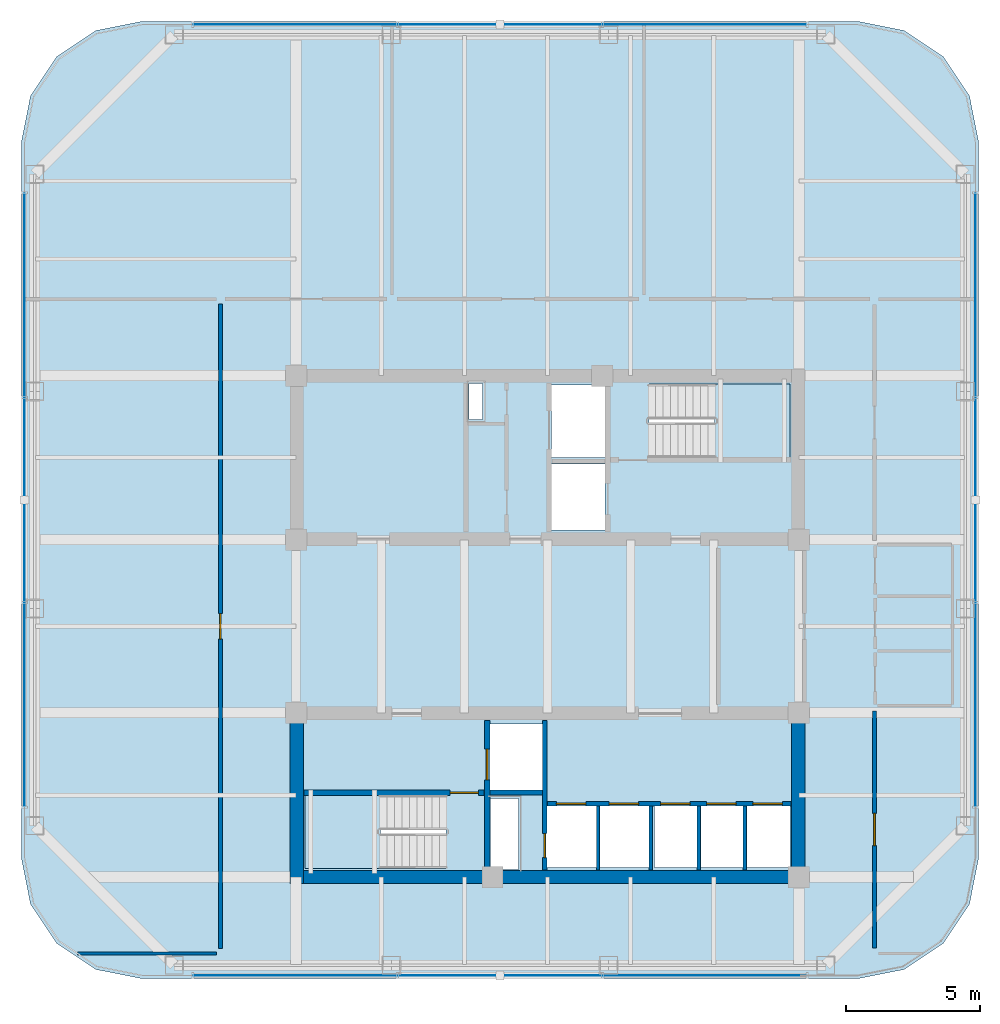
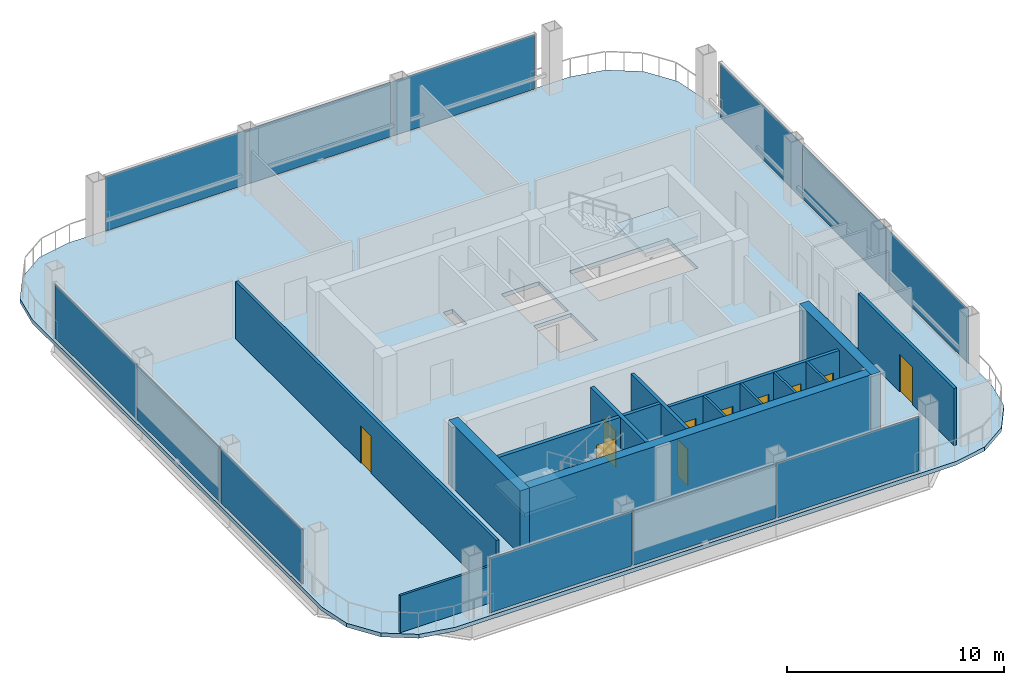
# One storey, part 14 of 19: 15 walls, 12 plates, 10 doors, 3 slabs, 10 openings, 6 elements without a shape of their own.
"""IFC4 building model written with IfcOpenShell, lengths in metres."""

from ifc_helpers import new_model, si_unit, direction, frame, frame_2d, origin, origin_2d, place, context, subcontext, project, spatial, polyline, rectangle, outline, extrude, material, layer, layer_set, type_object, element, fill, aggregate, save


model = new_model("IFC4")

# Units and contexts
model_context = context("Model", 3, precision=1e-05, world=origin(), true_north=direction((0.0, 1.0)))
body_context = subcontext(model_context, "Body", "Model", "MODEL_VIEW")
ifc_project = project(units=[si_unit("LENGTHUNIT", "METRE"), si_unit("AREAUNIT", "SQUARE_METRE"), si_unit("VOLUMEUNIT", "CUBIC_METRE"), si_unit("PLANEANGLEUNIT", "RADIAN"), si_unit("MASSUNIT", "GRAM", prefix="KILO")], contexts=[model_context])

# Site, building, storey
site_placement = place(None, origin())
site = spatial("IfcSite", under=ifc_project, at=site_placement, CompositionType="ELEMENT")
building_placement = place(site_placement, origin())
building = spatial("IfcBuilding", under=site, at=building_placement, Name="Qhalaya Broadcast Tower", CompositionType="ELEMENT")
storey_placement = place(building_placement, frame((0.0, 0.0, 148.199951171875)))
storey = spatial("IfcBuildingStorey", under=building, at=storey_placement, Name="L43", CompositionType="ELEMENT", Elevation=148.199951171875)

# Curtain wall, plates
ifc_material_1 = material(Name="Solar-Control Low-E Triple Glazing", Category="glass")
ifc_layer_1 = layer(ifc_material_1, 0.219970703125, Name="Solar-Control Low-E Triple Glazing")
ifc_layer_set_1 = layer_set([ifc_layer_1], Name="Solar-Control Low-E Triple Glazing")
curtain_wall_type = type_object("IfcCurtainWallType", Name="Recessed Sky-Garden Neck Ribbon Curtain Wall CW-05", PredefinedType="NOTDEFINED", material=ifc_layer_set_1)
curtain_wall_1_placement = place(storey_placement, origin())
curtain_wall_1 = element("IfcCurtainWall", 1, at=curtain_wall_1_placement, inside=storey, type_object=curtain_wall_type, Name="L43 Unitised Curtain Wall L43-CW-S", PredefinedType="NOTDEFINED")
ifc_layer_2 = layer(ifc_material_1, 0.031982421875, Name="Solar-Control Low-E Triple Glazing")
ifc_layer_set_2 = layer_set([ifc_layer_2], Name="Solar-Control Low-E Triple Glazing")
plate_type = type_object("IfcPlateType", Name="Solar-Control Curtain Glazing Panel GLP-05", PredefinedType="CURTAIN_PANEL", material=ifc_layer_set_2)
plate_1_placement = place(storey_placement, frame((-9.41796875, -12.419921875, 0.0751953125), z_axis=(0.0, 0.0, 1.0), x_axis=(1.0, 0.0, 0.0)))
plate_1 = element("IfcPlate", 2, at=plate_1_placement, type_object=plate_type, Name="CW-05 panel 1.1", PredefinedType="CURTAIN_PANEL", context=body_context, shape_type="SweptSolid", body=[
    extrude(rectangle(XDim=7.55419921875, YDim=0.031982421875, at=origin_2d()), origin(), (0.0, 0.0, 1.0), 3.070068359375),
])
plate_2_placement = place(storey_placement, frame((-1.77001953125, -12.419921875, 0.0751953125), z_axis=(0.0, 0.0, 1.0), x_axis=(1.0, 0.0, 0.0)))
plate_2 = element("IfcPlate", 3, at=plate_2_placement, type_object=plate_type, Name="CW-05 panel 2.1", PredefinedType="CURTAIN_PANEL", context=body_context, shape_type="SweptSolid", body=[
    extrude(rectangle(XDim=7.591552734375, YDim=0.031982421875, at=origin_2d()), origin(), (0.0, 0.0, 1.0), 3.070068359375),
])
plate_3_placement = place(storey_placement, frame((5.8779296875, -12.419921875, 0.0751953125), z_axis=(0.0, 0.0, 1.0), x_axis=(1.0, 0.0, 0.0)))
plate_3 = element("IfcPlate", 4, at=plate_3_placement, type_object=plate_type, Name="CW-05 panel 3.1", PredefinedType="CURTAIN_PANEL", context=body_context, shape_type="SweptSolid", body=[
    extrude(rectangle(XDim=7.55419921875, YDim=0.031982421875, at=origin_2d()), origin(), (0.0, 0.0, 1.0), 3.070068359375),
])
aggregate(curtain_wall_1, [plate_1, plate_2, plate_3])

curtain_wall_2_placement = place(storey_placement, origin())
curtain_wall_2 = element("IfcCurtainWall", 5, at=curtain_wall_2_placement, inside=storey, type_object=curtain_wall_type, Name="L43 Unitised Curtain Wall L43-CW-E", PredefinedType="NOTDEFINED")
plate_4_placement = place(storey_placement, frame((15.9599609375, -2.337890625, 0.0751953125), z_axis=(0.0, 0.0, 1.0), x_axis=(0.0, 1.0, 0.0)))
plate_4 = element("IfcPlate", 6, at=plate_4_placement, type_object=plate_type, Name="CW-05 panel 1.1", PredefinedType="CURTAIN_PANEL", context=body_context, shape_type="SweptSolid", body=[
    extrude(rectangle(XDim=7.55419921875, YDim=0.031982421875, at=origin_2d()), origin(), (0.0, 0.0, 1.0), 3.070068359375),
])
plate_5_placement = place(storey_placement, frame((15.9599609375, 5.31005859375, 0.0751953125), z_axis=(0.0, 0.0, 1.0), x_axis=(0.0, 1.0, 0.0)))
plate_5 = element("IfcPlate", 7, at=plate_5_placement, type_object=plate_type, Name="CW-05 panel 2.1", PredefinedType="CURTAIN_PANEL", context=body_context, shape_type="SweptSolid", body=[
    extrude(rectangle(XDim=7.591552734375, YDim=0.031982421875, at=origin_2d()), origin(), (0.0, 0.0, 1.0), 3.070068359375),
])
plate_6_placement = place(storey_placement, frame((15.9599609375, 12.9580078125, 0.0751953125), z_axis=(0.0, 0.0, 1.0), x_axis=(0.0, 1.0, 0.0)))
plate_6 = element("IfcPlate", 8, at=plate_6_placement, type_object=plate_type, Name="CW-05 panel 3.1", PredefinedType="CURTAIN_PANEL", context=body_context, shape_type="SweptSolid", body=[
    extrude(rectangle(XDim=7.55419921875, YDim=0.031982421875, at=origin_2d()), origin(), (0.0, 0.0, 1.0), 3.070068359375),
])
aggregate(curtain_wall_2, [plate_4, plate_5, plate_6])

curtain_wall_3_placement = place(storey_placement, origin())
curtain_wall_3 = element("IfcCurtainWall", 9, at=curtain_wall_3_placement, inside=storey, type_object=curtain_wall_type, Name="L43 Unitised Curtain Wall L43-CW-N", PredefinedType="NOTDEFINED")
plate_7_placement = place(storey_placement, frame((5.8779296875, 23.0400390625, 0.0751953125), z_axis=(0.0, 0.0, 1.0), x_axis=(-1.0, 0.0, 0.0)))
plate_7 = element("IfcPlate", 10, at=plate_7_placement, type_object=plate_type, Name="CW-05 panel 1.1", PredefinedType="CURTAIN_PANEL", context=body_context, shape_type="SweptSolid", body=[
    extrude(rectangle(XDim=7.55419921875, YDim=0.031982421875, at=origin_2d()), origin(), (0.0, 0.0, 1.0), 3.070068359375),
])
plate_8_placement = place(storey_placement, frame((-1.77001953125, 23.0400390625, 0.0751953125), z_axis=(0.0, 0.0, 1.0), x_axis=(-1.0, 0.0, 0.0)))
plate_8 = element("IfcPlate", 11, at=plate_8_placement, type_object=plate_type, Name="CW-05 panel 2.1", PredefinedType="CURTAIN_PANEL", context=body_context, shape_type="SweptSolid", body=[
    extrude(rectangle(XDim=7.591552734375, YDim=0.031982421875, at=origin_2d()), origin(), (0.0, 0.0, 1.0), 3.070068359375),
])
plate_9_placement = place(storey_placement, frame((-9.41796875, 23.0400390625, 0.0751953125), z_axis=(0.0, 0.0, 1.0), x_axis=(-1.0, 0.0, 0.0)))
plate_9 = element("IfcPlate", 12, at=plate_9_placement, type_object=plate_type, Name="CW-05 panel 3.1", PredefinedType="CURTAIN_PANEL", context=body_context, shape_type="SweptSolid", body=[
    extrude(rectangle(XDim=7.55419921875, YDim=0.031982421875, at=origin_2d()), origin(), (0.0, 0.0, 1.0), 3.070068359375),
])
aggregate(curtain_wall_3, [plate_7, plate_8, plate_9])

curtain_wall_4_placement = place(storey_placement, origin())
curtain_wall_4 = element("IfcCurtainWall", 13, at=curtain_wall_4_placement, inside=storey, type_object=curtain_wall_type, Name="L43 Unitised Curtain Wall L43-CW-W", PredefinedType="NOTDEFINED")
plate_10_placement = place(storey_placement, frame((-19.5, 12.9580078125, 0.0751953125), z_axis=(0.0, 0.0, 1.0), x_axis=(0.0, -1.0, 0.0)))
plate_10 = element("IfcPlate", 14, at=plate_10_placement, type_object=plate_type, Name="CW-05 panel 1.1", PredefinedType="CURTAIN_PANEL", context=body_context, shape_type="SweptSolid", body=[
    extrude(rectangle(XDim=7.55419921875, YDim=0.031982421875, at=origin_2d()), origin(), (0.0, 0.0, 1.0), 3.070068359375),
])
plate_11_placement = place(storey_placement, frame((-19.5, 5.31005859375, 0.0751953125), z_axis=(0.0, 0.0, 1.0), x_axis=(0.0, -1.0, 0.0)))
plate_11 = element("IfcPlate", 15, at=plate_11_placement, type_object=plate_type, Name="CW-05 panel 2.1", PredefinedType="CURTAIN_PANEL", context=body_context, shape_type="SweptSolid", body=[
    extrude(rectangle(XDim=7.591552734375, YDim=0.031982421875, at=origin_2d()), origin(), (0.0, 0.0, 1.0), 3.070068359375),
])
plate_12_placement = place(storey_placement, frame((-19.5, -2.337890625, 0.0751953125), z_axis=(0.0, 0.0, 1.0), x_axis=(0.0, -1.0, 0.0)))
plate_12 = element("IfcPlate", 16, at=plate_12_placement, type_object=plate_type, Name="CW-05 panel 3.1", PredefinedType="CURTAIN_PANEL", context=body_context, shape_type="SweptSolid", body=[
    extrude(rectangle(XDim=7.55419921875, YDim=0.031982421875, at=origin_2d()), origin(), (0.0, 0.0, 1.0), 3.070068359375),
])
aggregate(curtain_wall_4, [plate_10, plate_11, plate_12])

# Stair, slab
ifc_material_2 = material(Name="Concrete C40/50", Category="concrete")
stair_type = type_object("IfcStairType", Name="Protected Dogleg Core Stair 3600", PredefinedType="TWO_STRAIGHT_RUN_STAIR", material=ifc_material_2)
stair_1_placement = place(storey_placement, origin())
stair_1 = element("IfcStair", 17, at=stair_1_placement, inside=storey, type_object=stair_type, Name="L43 North Core Exit Stair ST-1", PredefinedType="TWO_STRAIGHT_RUN_STAIR")
ifc_layer_3 = layer(ifc_material_2, 0.199951171875, Name="Concrete C40/50")
ifc_layer_set_3 = layer_set([ifc_layer_3], Name="Concrete C40/50")
slab_type_1 = type_object("IfcSlabType", Name="Stair & Ramp Half-Landing Slab 200", PredefinedType="LANDING", material=ifc_layer_set_3)
slab_1_placement = place(storey_placement, frame((0.0, 0.0, 1.60009765625)))
slab_1 = element("IfcSlab", 18, at=slab_1_placement, type_object=slab_type_1, Name="ST-1 landing 1", PredefinedType="LANDING", context=body_context, shape_type="SweptSolid", body=[
    extrude(outline(polyline([(6.235107421875, 6.8798828125), (9.050048828125, 6.8798828125), (9.050048828125, 9.639892578125), (6.235107421875, 9.639892578125), (6.235107421875, 6.8798828125)])), origin(), (0.0, 0.0, 1.0), 0.199951171875),
])
aggregate(stair_1, [slab_1])

stair_2_placement = place(storey_placement, origin())
stair_2 = element("IfcStair", 19, at=stair_2_placement, inside=storey, type_object=stair_type, Name="L43 South Core Exit Stair ST-2", PredefinedType="TWO_STRAIGHT_RUN_STAIR")
slab_2_placement = place(storey_placement, frame((0.0, 0.0, 1.60009765625)))
slab_2 = element("IfcSlab", 20, at=slab_2_placement, type_object=slab_type_1, Name="ST-2 landing 1", PredefinedType="LANDING", context=body_context, shape_type="SweptSolid", body=[
    extrude(outline(polyline([(-6.235107421875, -5.679931640625), (-9.050048828125, -5.679931640625), (-9.050048828125, -8.43994140625), (-6.235107421875, -8.43994140625), (-6.235107421875, -5.679931640625)])), origin(), (0.0, 0.0, 1.0), 0.199951171875),
])
aggregate(stair_2, [slab_2])

# Slab
ifc_layer_4 = layer(ifc_material_2, 0.219970703125, Name="Concrete C40/50")
ifc_layer_set_4 = layer_set([ifc_layer_4], Name="Concrete C40/50")
slab_type_2 = type_object("IfcSlabType", Name="Tower Composite Floor Slab 220", PredefinedType="FLOOR", material=ifc_layer_set_4)
slab_3_placement = place(storey_placement, frame((0.0, 0.0, -0.219970703125)))
element("IfcSlab", 21, at=slab_3_placement, inside=storey, type_object=slab_type_2, Name="L43 Main Structural Floor Slab", PredefinedType="FLOOR", context=body_context, shape_type="SweptSolid", body=[
    extrude(outline(polyline([(11.580078125, -12.5400390625), (13.302001953125, -12.197509765625), (14.761962890625, -11.221923828125), (15.737548828125, -9.76220703125), (16.080078125, -8.0400390625), (16.080078125, 18.659912109375), (15.737548828125, 20.382080078125), (14.761962890625, 21.842041015625), (13.302001953125, 22.8173828125), (11.580078125, 23.159912109375), (-15.1201171875, 23.159912109375), (-16.842041015625, 22.8173828125), (-18.302001953125, 21.842041015625), (-19.277587890625, 20.382080078125), (-19.6201171875, 18.659912109375), (-19.6201171875, -8.0400390625), (-19.277587890625, -9.76220703125), (-18.302001953125, -11.221923828125), (-16.842041015625, -12.197509765625), (-15.1201171875, -12.5400390625), (11.580078125, -12.5400390625)]), holes=[polyline([(3.784912109375, 9.639892578125), (9.050048828125, 9.639892578125), (9.050048828125, 6.8798828125), (3.784912109375, 6.8798828125), (3.784912109375, 9.639892578125)]), polyline([(-3.784912109375, -8.43994140625), (-9.050048828125, -8.43994140625), (-9.050048828125, -5.679931640625), (-3.784912109375, -5.679931640625), (-3.784912109375, -8.43994140625)]), polyline([(0.14990234375, 6.64990234375), (2.14990234375, 6.64990234375), (2.14990234375, 4.199951171875), (0.14990234375, 4.199951171875), (0.14990234375, 6.64990234375)]), polyline([(0.14990234375, 9.60009765625), (2.14990234375, 9.60009765625), (2.14990234375, 6.89990234375), (0.14990234375, 6.89990234375), (0.14990234375, 9.60009765625)]), polyline([(-2.14990234375, -3.050048828125), (-0.14990234375, -3.050048828125), (-0.14990234375, -5.5), (-2.14990234375, -5.5), (-2.14990234375, -3.050048828125)]), polyline([(-0.050048828125, -6.10009765625), (1.830078125, -6.10009765625), (1.830078125, -8.39990234375), (-0.050048828125, -8.39990234375), (-0.050048828125, -6.10009765625)]), polyline([(1.949951171875, -6.10009765625), (3.830078125, -6.10009765625), (3.830078125, -8.39990234375), (1.949951171875, -8.39990234375), (1.949951171875, -6.10009765625)]), polyline([(4.0, -6.10009765625), (5.60009765625, -6.10009765625), (5.60009765625, -8.39990234375), (4.0, -8.39990234375), (4.0, -6.10009765625)]), polyline([(5.719970703125, -6.10009765625), (7.320068359375, -6.10009765625), (7.320068359375, -8.39990234375), (5.719970703125, -8.39990234375), (5.719970703125, -6.10009765625)]), polyline([(7.43994140625, -6.10009765625), (9.0400390625, -6.10009765625), (9.0400390625, -8.39990234375), (7.43994140625, -8.39990234375), (7.43994140625, -6.10009765625)]), polyline([(-2.919921875, 9.659912109375), (-2.419921875, 9.659912109375), (-2.419921875, 8.320068359375), (-2.919921875, 8.320068359375), (-2.919921875, 9.659912109375)]), polyline([(-2.1201171875, -5.820068359375), (-1.080078125, -5.820068359375), (-1.080078125, -8.4599609375), (-2.1201171875, -8.4599609375), (-2.1201171875, -5.820068359375)])]), origin(), (0.0, 0.0, 1.0), 0.219970703125),
])

# Wall, opening, door
ifc_material_3 = material(Name="Gypsum Acoustic Partition")
ifc_layer_5 = layer(ifc_material_3, 0.14990234375, Name="Gypsum Acoustic Partition")
ifc_layer_set_5 = layer_set([ifc_layer_5], Name="Gypsum Acoustic Partition")
wall_type_1 = type_object("IfcWallType", Name="Corridor & Tenancy Acoustic Partition 150", PredefinedType="PARTITIONING", material=ifc_layer_set_5)
wall_1_placement = place(storey_placement, frame((-12.199951171875, -11.419921875, 0.0), z_axis=(0.0, 0.0, 1.0), x_axis=(0.0, 1.0, 0.0)))
wall_1 = element("IfcWall", 22, at=wall_1_placement, inside=storey, type_object=wall_type_1, Name="L43 Partition Wall W-COR-04", PredefinedType="PARTITIONING", context=body_context, shape_type="SweptSolid", body=[
    extrude(rectangle(XDim=24.0400390625, YDim=0.14990234375, at=frame_2d((12.02001953125, 0.0))), origin(), (0.0, 0.0, 1.0), 3.219970703125),
])
opening_1_placement = place(wall_1_placement, frame((11.544921875, 0.0, 0.0)))
opening_1 = element("IfcOpeningElement", 23, at=opening_1_placement, cuts=wall_1, Name="Opening D10", PredefinedType="OPENING", context=body_context, shape_type="SweptSolid", body=[
    extrude(rectangle(XDim=0.949951171875, YDim=2.10009765625, at=frame_2d((0.47509765625, 1.050048828125))), frame((0.0, 0.0869140625, 0.0), z_axis=(0.0, -1.0, 0.0), x_axis=(1.0, 0.0, 0.0)), (0.0, 0.0, 1.0), 0.173828125),
])
ifc_material_4 = material(Name="Timber Veneer Acoustic Door", Category="wood")
door_type_1 = type_object("IfcDoorType", Name="Cellular Office & Edit Booth Door D10", OperationType="NOTDEFINED", PredefinedType="DOOR", material=ifc_material_4)
door_1_placement = place(opening_1_placement, origin())
door_1 = element("IfcDoor", 24, at=door_1_placement, inside=storey, type_object=door_type_1, Name="L43 Door D-RM04", OperationType="SINGLE_SWING_RIGHT", OverallHeight=2.10009765625, OverallWidth=0.949951171875, PredefinedType="DOOR", context=body_context, shape_type="SweptSolid", body=[
    extrude(rectangle(XDim=0.949951171875, YDim=2.10009765625, at=frame_2d((0.47509765625, 1.050048828125))), frame((0.0, 0.02490234375, 0.0), z_axis=(0.0, -1.0, 0.0), x_axis=(1.0, 0.0, 0.0)), (0.0, 0.0, 1.0), 0.050048828125),
])
fill(opening_1, door_1)

wall_2_placement = place(storey_placement, frame((12.199951171875, -11.39990234375, 0.0), z_axis=(0.0, 0.0, 1.0), x_axis=(0.0, 1.0, 0.0)))
wall_2 = element("IfcWall", 25, at=wall_2_placement, inside=storey, type_object=wall_type_1, Name="L43 Partition Wall W-COR-05", PredefinedType="PARTITIONING", context=body_context, shape_type="SweptSolid", body=[
    extrude(rectangle(XDim=8.83984375, YDim=0.14990234375, at=frame_2d((4.419921875, 0.0))), origin(), (0.0, 0.0, 1.0), 3.219970703125),
])
opening_2_placement = place(wall_2_placement, frame((3.820068359375, 0.0, 0.0)))
opening_2 = element("IfcOpeningElement", 26, at=opening_2_placement, cuts=wall_2, Name="Opening D11", PredefinedType="OPENING", context=body_context, shape_type="SweptSolid", body=[
    extrude(rectangle(XDim=1.199951171875, YDim=2.10009765625, at=frame_2d((0.60009765625, 1.050048828125))), frame((0.0, 0.0869140625, 0.0), z_axis=(0.0, -1.0, 0.0), x_axis=(1.0, 0.0, 0.0)), (0.0, 0.0, 1.0), 0.173828125),
])
ifc_material_5 = material(Name="Anodised Aluminium Glazed Door", Category="aluminium")
door_type_2 = type_object("IfcDoorType", Name="Conference, Boardroom & Studio Control Door D11", OperationType="NOTDEFINED", PredefinedType="DOOR", material=ifc_material_5)
door_2_placement = place(opening_2_placement, origin())
door_2 = element("IfcDoor", 27, at=door_2_placement, inside=storey, type_object=door_type_2, Name="L43 Door D-RM05", OperationType="SINGLE_SWING_LEFT", OverallHeight=2.10009765625, OverallWidth=1.199951171875, PredefinedType="DOOR", context=body_context, shape_type="SweptSolid", body=[
    extrude(rectangle(XDim=1.199951171875, YDim=2.10009765625, at=frame_2d((0.60009765625, 1.050048828125))), frame((0.0, 0.02490234375, 0.0), z_axis=(0.0, -1.0, 0.0), x_axis=(1.0, 0.0, 0.0)), (0.0, 0.0, 1.0), 0.050048828125),
])
fill(opening_2, door_2)

ifc_material_6 = material(Name="Concrete C50/60", Category="concrete")
ifc_layer_6 = layer(ifc_material_6, 0.199951171875, Name="Concrete C50/60")
ifc_layer_set_6 = layer_set([ifc_layer_6], Name="Concrete C50/60")
wall_type_2 = type_object("IfcWallType", Name="Load-Bearing Stair Shaft Wall 200", PredefinedType="SHEAR", material=ifc_layer_set_6)
wall_3_placement = place(storey_placement, frame((-9.080078125, -5.60498046875, 0.0), z_axis=(0.0, 0.0, 1.0), x_axis=(1.0, 0.0, 0.0)))
wall_3 = element("IfcWall", 28, at=wall_3_placement, inside=storey, type_object=wall_type_2, Name="L43 Stair Core Shear Wall SCW-ST2", PredefinedType="SHEAR", context=body_context, shape_type="SweptSolid", body=[
    extrude(rectangle(XDim=6.719970703125, YDim=0.199951171875, at=frame_2d((3.35986328125, 0.0))), origin(), (0.0, 0.0, 1.0), 3.219970703125),
])
opening_3_placement = place(wall_3_placement, frame((5.449951171875, 0.0, 0.0)))
opening_3 = element("IfcOpeningElement", 29, at=opening_3_placement, cuts=wall_3, Name="Opening D03", PredefinedType="OPENING", context=body_context, shape_type="SweptSolid", body=[
    extrude(rectangle(XDim=1.050048828125, YDim=2.080078125, at=frame_2d((0.52490234375, 1.0400390625))), frame((0.0, 0.112060546875, 0.0), z_axis=(0.0, -1.0, 0.0), x_axis=(1.0, 0.0, 0.0)), (0.0, 0.0, 1.0), 0.223876953125),
])
ifc_material_7 = material(Name="Fire-Rated Steel Door", Category="steel")
door_type_3 = type_object("IfcDoorType", Name="Core Stair Protected Fire Door D03", OperationType="NOTDEFINED", PredefinedType="DOOR", material=ifc_material_7)
door_3_placement = place(opening_3_placement, origin())
door_3 = element("IfcDoor", 30, at=door_3_placement, inside=storey, type_object=door_type_3, Name="L43 Door D-SST2", OperationType="SINGLE_SWING_RIGHT", OverallHeight=2.080078125, OverallWidth=1.050048828125, PredefinedType="DOOR", context=body_context, shape_type="SweptSolid", body=[
    extrude(rectangle(XDim=1.050048828125, YDim=2.080078125, at=frame_2d((0.52490234375, 1.0400390625))), frame((0.0, 0.02490234375, 0.0), z_axis=(0.0, -1.0, 0.0), x_axis=(1.0, 0.0, 0.0)), (0.0, 0.0, 1.0), 0.050048828125),
])
fill(opening_3, door_3)

wall_4_placement = place(storey_placement, frame((-2.25, -8.47998046875, 0.0), z_axis=(0.0, 0.0, 1.0), x_axis=(0.0, 1.0, 0.0)))
wall_4 = element("IfcWall", 31, at=wall_4_placement, inside=storey, type_object=wall_type_2, Name="L43 Stair Core Shear Wall SCW-FF", PredefinedType="SHEAR", context=body_context, shape_type="SweptSolid", body=[
    extrude(rectangle(XDim=5.56005859375, YDim=0.199951171875, at=frame_2d((2.780029296875, 0.0))), origin(), (0.0, 0.0, 1.0), 3.219970703125),
])
opening_4_placement = place(wall_4_placement, frame((3.35009765625, 0.0, 0.0)))
opening_4 = element("IfcOpeningElement", 32, at=opening_4_placement, cuts=wall_4, Name="Opening LD2", PredefinedType="OPENING", context=body_context, shape_type="SweptSolid", body=[
    extrude(rectangle(XDim=1.14990234375, YDim=2.080078125, at=frame_2d((0.574951171875, 1.0400390625))), frame((0.0, 0.112060546875, 0.0), z_axis=(0.0, -1.0, 0.0), x_axis=(1.0, 0.0, 0.0)), (0.0, 0.0, 1.0), 0.223876953125),
])
ifc_material_8 = material(Name="Brushed Stainless Steel Lift Door", Category="steel")
door_type_4 = type_object("IfcDoorType", Name="Firefighting Lift Sliding Landing Door LD2", OperationType="DOUBLE_DOOR_SLIDING", PredefinedType="DOOR", material=ifc_material_8)
door_4_placement = place(opening_4_placement, origin())
door_4 = element("IfcDoor", 33, at=door_4_placement, inside=storey, type_object=door_type_4, Name="L43 Door LD-FF2", OperationType="DOUBLE_DOOR_SLIDING", OverallHeight=2.080078125, OverallWidth=1.14990234375, PredefinedType="DOOR", context=body_context, shape_type="SweptSolid", body=[
    extrude(rectangle(XDim=1.14990234375, YDim=2.080078125, at=frame_2d((0.574951171875, 1.0400390625))), frame((0.0, 0.02490234375, 0.0), z_axis=(0.0, -1.0, 0.0), x_axis=(1.0, 0.0, 0.0)), (0.0, 0.0, 1.0), 0.050048828125),
])
fill(opening_4, door_4)

# Walls
ifc_layer_7 = layer(ifc_material_6, 0.5, Name="Concrete C50/60")
ifc_layer_set_7 = layer_set([ifc_layer_7], Name="Concrete C50/60")
wall_type_3 = type_object("IfcWallType", Name="Mid Split-Core Shear Wall 500", PredefinedType="SHEAR", material=ifc_layer_set_7)
wall_5_placement = place(storey_placement, frame((-9.60009765625, -8.75, 0.0), z_axis=(0.0, 0.0, 1.0), x_axis=(1.0, 0.0, 0.0)))
element("IfcWall", 34, at=wall_5_placement, inside=storey, type_object=wall_type_3, Name="L43 Split-Core Shear Wall CW-SS", PredefinedType="SHEAR", context=body_context, shape_type="SweptSolid", body=[
    extrude(rectangle(XDim=19.2001953125, YDim=0.5, at=frame_2d((9.60009765625, 0.0))), origin(), (0.0, 0.0, 1.0), 3.60009765625),
])
for number, where, z_axis, x_axis, name in (
    (35, (-9.35009765625, -9.0, 0.0), (0.0, 0.0, 1.0), (0.0, 1.0, 0.0), "L43 Split-Core Shear Wall CW-SW"),
    (36, (9.35009765625, -9.0, 0.0), (0.0, 0.0, 1.0), (0.0, 1.0, 0.0), "L43 Split-Core Shear Wall CW-SE"),
):
    element("IfcWall", number, at=place(storey_placement, frame(where, z_axis=z_axis, x_axis=x_axis)), inside=storey, type_object=wall_type_3, Name=name, PredefinedType="SHEAR", context=body_context, shape_type="SweptSolid", body=[
        extrude(rectangle(XDim=6.60009765625, YDim=0.5, at=frame_2d((3.300048828125, 0.0))), origin(), (0.0, 0.0, 1.0), 3.60009765625),
    ])
ifc_layer_8 = layer(ifc_material_3, 0.1201171875, Name="Gypsum Acoustic Partition")
ifc_layer_set_8 = layer_set([ifc_layer_8], Name="Gypsum Acoustic Partition")
wall_type_4 = type_object("IfcWallType", Name="Office, Booth & Sanitary Partition 120", PredefinedType="PARTITIONING", material=ifc_layer_set_8)
for number, where, z_axis, x_axis, name in (
    (37, (1.8798828125, -8.47998046875, 0.0), (0.0, 0.0, 1.0), (0.0, 1.0, 0.0), "L43 Partition Wall SCW-MD4"),
    (38, (3.85009765625, -8.47998046875, 0.0), (0.0, 0.0, 1.0), (0.0, 1.0, 0.0), "L43 Partition Wall SCW-MD5"),
    (39, (5.639892578125, -8.47998046875, 0.0), (0.0, 0.0, 1.0), (0.0, 1.0, 0.0), "L43 Partition Wall SCW-HD6"),
    (40, (7.360107421875, -8.47998046875, 0.0), (0.0, 0.0, 1.0), (0.0, 1.0, 0.0), "L43 Partition Wall SCW-HD7"),
):
    element("IfcWall", number, at=place(storey_placement, frame(where, z_axis=z_axis, x_axis=x_axis)), inside=storey, type_object=wall_type_4, Name=name, PredefinedType="PARTITIONING", context=body_context, shape_type="SweptSolid", body=[
        extrude(rectangle(XDim=2.3798828125, YDim=0.1201171875, at=frame_2d((1.18994140625, 0.0))), origin(), (0.0, 0.0, 1.0), 3.219970703125),
    ])
wall_6_placement = place(storey_placement, frame((-17.520263671875, -11.60009765625, 0.0), z_axis=(0.0, 0.0, 1.0), x_axis=(1.0, 0.0, 0.0)))
element("IfcWall", 41, at=wall_6_placement, inside=storey, type_object=wall_type_4, Name="L43 Partition Wall W-BNDW2", PredefinedType="PARTITIONING", context=body_context, shape_type="SweptSolid", body=[
    extrude(rectangle(XDim=5.18017578125, YDim=0.1201171875, at=frame_2d((2.590087890625, 0.0))), origin(), (0.0, 0.0, 1.0), 2.08203125),
])

# Wall, opening, door
ifc_layer_9 = layer(ifc_material_3, 0.175048828125, Name="Gypsum Acoustic Partition")
ifc_layer_set_9 = layer_set([ifc_layer_9], Name="Gypsum Acoustic Partition")
wall_type_5 = type_object("IfcWallType", Name="Shaft & Riser Fire Partition 175", PredefinedType="PARTITIONING", material=ifc_layer_set_9)
wall_7_placement = place(storey_placement, frame((-0.10009765625, -8.47998046875, 0.0), z_axis=(0.0, 0.0, 1.0), x_axis=(0.0, 1.0, 0.0)))
wall_7 = element("IfcWall", 42, at=wall_7_placement, inside=storey, type_object=wall_type_5, Name="L43 Partition Wall SCW-FFE", PredefinedType="PARTITIONING", context=body_context, shape_type="SweptSolid", body=[
    extrude(rectangle(XDim=5.56005859375, YDim=0.175048828125, at=frame_2d((2.780029296875, 0.0))), origin(), (0.0, 0.0, 1.0), 3.219970703125),
])
opening_5_placement = place(wall_7_placement, frame((0.449951171875, 0.0, 0.0)))
opening_5 = element("IfcOpeningElement", 43, at=opening_5_placement, cuts=wall_7, Name="Opening D06", PredefinedType="OPENING", context=body_context, shape_type="SweptSolid", body=[
    extrude(rectangle(XDim=0.89990234375, YDim=2.050048828125, at=frame_2d((0.449951171875, 1.02490234375))), frame((0.0, 0.099609375, 0.0), z_axis=(0.0, -1.0, 0.0), x_axis=(1.0, 0.0, 0.0)), (0.0, 0.0, 1.0), 0.198974609375),
])
door_type_5 = type_object("IfcDoorType", Name="Riser & Electrical Shaft Access Door D06", OperationType="NOTDEFINED", PredefinedType="DOOR", material=ifc_material_7)
door_5_placement = place(opening_5_placement, origin())
door_5 = element("IfcDoor", 44, at=door_5_placement, inside=storey, type_object=door_type_5, Name="L43 Riser Shaft Access Door D-SRSR", OperationType="SINGLE_SWING_LEFT", OverallHeight=2.050048828125, OverallWidth=0.89990234375, PredefinedType="DOOR", context=body_context, shape_type="SweptSolid", body=[
    extrude(rectangle(XDim=0.89990234375, YDim=2.050048828125, at=frame_2d((0.449951171875, 1.02490234375))), frame((0.0, 0.02490234375, 0.0), z_axis=(0.0, -1.0, 0.0), x_axis=(1.0, 0.0, 0.0)), (0.0, 0.0, 1.0), 0.050048828125),
])
fill(opening_5, door_5)

# Wall
wall_8_placement = place(storey_placement, frame((-2.14990234375, -5.60009765625, 0.0), z_axis=(0.0, 0.0, 1.0), x_axis=(1.0, 0.0, 0.0)))
element("IfcWall", 45, at=wall_8_placement, inside=storey, type_object=wall_type_5, Name="L43 Partition Wall SCW-FFM", PredefinedType="PARTITIONING", context=body_context, shape_type="SweptSolid", body=[
    extrude(rectangle(XDim=1.969970703125, YDim=0.175048828125, at=frame_2d((0.98486328125, 0.0))), origin(), (0.0, 0.0, 1.0), 3.219970703125),
])

# Wall, openings, doors
wall_9_placement = place(storey_placement, frame((0.0, -6.02001953125, 0.0), z_axis=(0.0, 0.0, 1.0), x_axis=(1.0, 0.0, 0.0)))
wall_9 = element("IfcWall", 46, at=wall_9_placement, inside=storey, type_object=wall_type_5, Name="L43 Partition Wall SCW-SLB", PredefinedType="PARTITIONING", context=body_context, shape_type="SweptSolid", body=[
    extrude(rectangle(XDim=9.080078125, YDim=0.175048828125, at=frame_2d((4.5400390625, 0.0))), origin(), (0.0, 0.0, 1.0), 3.219970703125),
])
opening_6_placement = place(wall_9_placement, frame((0.330078125, 0.0, 0.0)))
opening_6 = element("IfcOpeningElement", 47, at=opening_6_placement, cuts=wall_9, Name="Opening LD1", PredefinedType="OPENING", context=body_context, shape_type="SweptSolid", body=[
    extrude(rectangle(XDim=1.10009765625, YDim=2.06005859375, at=frame_2d((0.550048828125, 1.030029296875))), frame((0.0, 0.099609375, 0.0), z_axis=(0.0, -1.0, 0.0), x_axis=(1.0, 0.0, 0.0)), (0.0, 0.0, 1.0), 0.198974609375),
])
opening_7_placement = place(wall_9_placement, frame((2.300048828125, 0.0, 0.0)))
opening_7 = element("IfcOpeningElement", 48, at=opening_7_placement, cuts=wall_9, Name="Opening LD1", PredefinedType="OPENING", context=body_context, shape_type="SweptSolid", body=[
    extrude(rectangle(XDim=1.10009765625, YDim=2.06005859375, at=frame_2d((0.550048828125, 1.030029296875))), frame((0.0, 0.099609375, 0.0), z_axis=(0.0, -1.0, 0.0), x_axis=(1.0, 0.0, 0.0)), (0.0, 0.0, 1.0), 0.198974609375),
])
opening_8_placement = place(wall_9_placement, frame((4.219970703125, 0.0, 0.0)))
opening_8 = element("IfcOpeningElement", 49, at=opening_8_placement, cuts=wall_9, Name="Opening LD1", PredefinedType="OPENING", context=body_context, shape_type="SweptSolid", body=[
    extrude(rectangle(XDim=1.10009765625, YDim=2.06005859375, at=frame_2d((0.550048828125, 1.030029296875))), frame((0.0, 0.099609375, 0.0), z_axis=(0.0, -1.0, 0.0), x_axis=(1.0, 0.0, 0.0)), (0.0, 0.0, 1.0), 0.198974609375),
])
opening_9_placement = place(wall_9_placement, frame((5.93994140625, 0.0, 0.0)))
opening_9 = element("IfcOpeningElement", 50, at=opening_9_placement, cuts=wall_9, Name="Opening LD1", PredefinedType="OPENING", context=body_context, shape_type="SweptSolid", body=[
    extrude(rectangle(XDim=1.10009765625, YDim=2.06005859375, at=frame_2d((0.550048828125, 1.030029296875))), frame((0.0, 0.099609375, 0.0), z_axis=(0.0, -1.0, 0.0), x_axis=(1.0, 0.0, 0.0)), (0.0, 0.0, 1.0), 0.198974609375),
])
opening_10_placement = place(wall_9_placement, frame((7.659912109375, 0.0, 0.0)))
opening_10 = element("IfcOpeningElement", 51, at=opening_10_placement, cuts=wall_9, Name="Opening LD1", PredefinedType="OPENING", context=body_context, shape_type="SweptSolid", body=[
    extrude(rectangle(XDim=1.10009765625, YDim=2.06005859375, at=frame_2d((0.550048828125, 1.030029296875))), frame((0.0, 0.099609375, 0.0), z_axis=(0.0, -1.0, 0.0), x_axis=(1.0, 0.0, 0.0)), (0.0, 0.0, 1.0), 0.198974609375),
])
door_type_6 = type_object("IfcDoorType", Name="Passenger Lift Sliding Landing Door LD1", OperationType="DOUBLE_DOOR_SLIDING", PredefinedType="DOOR", material=ifc_material_8)
door_6_placement = place(opening_6_placement, origin())
door_6 = element("IfcDoor", 52, at=door_6_placement, inside=storey, type_object=door_type_6, Name="L43 Door LD-P4", OperationType="DOUBLE_DOOR_SLIDING", OverallHeight=2.06005859375, OverallWidth=1.10009765625, PredefinedType="DOOR", context=body_context, shape_type="SweptSolid", body=[
    extrude(rectangle(XDim=1.10009765625, YDim=2.06005859375, at=frame_2d((0.550048828125, 1.030029296875))), frame((0.0, 0.02490234375, 0.0), z_axis=(0.0, -1.0, 0.0), x_axis=(1.0, 0.0, 0.0)), (0.0, 0.0, 1.0), 0.050048828125),
])
fill(opening_6, door_6)
door_7_placement = place(opening_7_placement, origin())
door_7 = element("IfcDoor", 53, at=door_7_placement, inside=storey, type_object=door_type_6, Name="L43 Door LD-P5", OperationType="DOUBLE_DOOR_SLIDING", OverallHeight=2.06005859375, OverallWidth=1.10009765625, PredefinedType="DOOR", context=body_context, shape_type="SweptSolid", body=[
    extrude(rectangle(XDim=1.10009765625, YDim=2.06005859375, at=frame_2d((0.550048828125, 1.030029296875))), frame((0.0, 0.02490234375, 0.0), z_axis=(0.0, -1.0, 0.0), x_axis=(1.0, 0.0, 0.0)), (0.0, 0.0, 1.0), 0.050048828125),
])
fill(opening_7, door_7)
door_8_placement = place(opening_8_placement, origin())
door_8 = element("IfcDoor", 54, at=door_8_placement, inside=storey, type_object=door_type_6, Name="L43 Door LD-P6", OperationType="DOUBLE_DOOR_SLIDING", OverallHeight=2.06005859375, OverallWidth=1.10009765625, PredefinedType="DOOR", context=body_context, shape_type="SweptSolid", body=[
    extrude(rectangle(XDim=1.10009765625, YDim=2.06005859375, at=frame_2d((0.550048828125, 1.030029296875))), frame((0.0, 0.02490234375, 0.0), z_axis=(0.0, -1.0, 0.0), x_axis=(1.0, 0.0, 0.0)), (0.0, 0.0, 1.0), 0.050048828125),
])
fill(opening_8, door_8)
door_9_placement = place(opening_9_placement, origin())
door_9 = element("IfcDoor", 55, at=door_9_placement, inside=storey, type_object=door_type_6, Name="L43 Door LD-P7", OperationType="DOUBLE_DOOR_SLIDING", OverallHeight=2.06005859375, OverallWidth=1.10009765625, PredefinedType="DOOR", context=body_context, shape_type="SweptSolid", body=[
    extrude(rectangle(XDim=1.10009765625, YDim=2.06005859375, at=frame_2d((0.550048828125, 1.030029296875))), frame((0.0, 0.02490234375, 0.0), z_axis=(0.0, -1.0, 0.0), x_axis=(1.0, 0.0, 0.0)), (0.0, 0.0, 1.0), 0.050048828125),
])
fill(opening_9, door_9)
door_10_placement = place(opening_10_placement, origin())
door_10 = element("IfcDoor", 56, at=door_10_placement, inside=storey, type_object=door_type_6, Name="L43 Door LD-P8", OperationType="DOUBLE_DOOR_SLIDING", OverallHeight=2.06005859375, OverallWidth=1.10009765625, PredefinedType="DOOR", context=body_context, shape_type="SweptSolid", body=[
    extrude(rectangle(XDim=1.10009765625, YDim=2.06005859375, at=frame_2d((0.550048828125, 1.030029296875))), frame((0.0, 0.02490234375, 0.0), z_axis=(0.0, -1.0, 0.0), x_axis=(1.0, 0.0, 0.0)), (0.0, 0.0, 1.0), 0.050048828125),
])
fill(opening_10, door_10)

save(model, "model.ifc")
